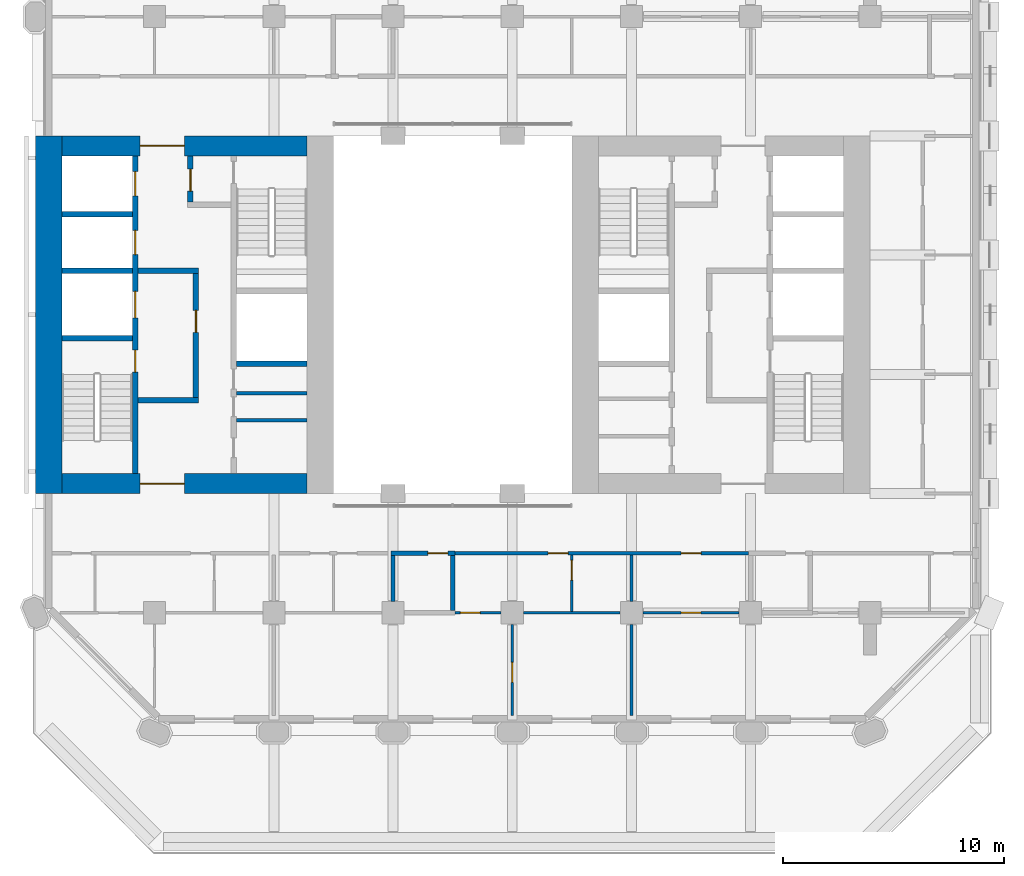
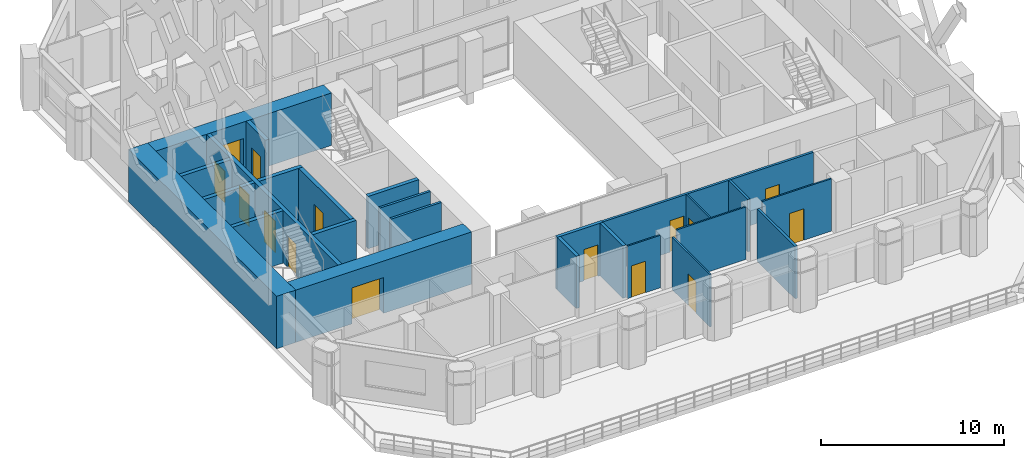
# One storey, part 9 of 16: 25 walls, 15 doors, 15 openings.
"""IFC4 building model written with IfcOpenShell, lengths in metres."""

from ifc_helpers import new_model, si_unit, direction, frame, frame_2d, origin, place, context, subcontext, project, spatial, rectangle, extrude, material, layer, layer_set, type_object, element, fill, save


model = new_model("IFC4")

# Units and contexts
model_context = context("Model", 3, precision=1e-05, world=origin(), true_north=direction((0.0, 1.0)))
body_context = subcontext(model_context, "Body", "Model", "MODEL_VIEW")
ifc_project = project(units=[si_unit("LENGTHUNIT", "METRE"), si_unit("AREAUNIT", "SQUARE_METRE"), si_unit("VOLUMEUNIT", "CUBIC_METRE"), si_unit("PLANEANGLEUNIT", "RADIAN"), si_unit("MASSUNIT", "GRAM", prefix="KILO")], contexts=[model_context])

# Site, building, storey
site_placement = place(None, origin())
site = spatial("IfcSite", under=ifc_project, at=site_placement, CompositionType="ELEMENT")
building_placement = place(site_placement, origin())
building = spatial("IfcBuilding", under=site, at=building_placement, Name="Tabaq Tower and Sports Hall", CompositionType="ELEMENT")
storey_placement = place(building_placement, frame((0.0, 0.0, 65.0)))
storey = spatial("IfcBuildingStorey", under=building, at=storey_placement, Name="L14", CompositionType="ELEMENT", Elevation=65.0)

# Walls
ifc_material_1 = material(Name="Blockwork", Category="masonry")
ifc_layer_1 = layer(ifc_material_1, 0.14990234375)
ifc_layer_set_1 = layer_set([ifc_layer_1], Name="Core room partition 150 Blockwork")
wall_type_1 = type_object("IfcWallType", Name="Core room partition 150 Blockwork", PredefinedType="PARTITIONING", material=ifc_layer_set_1)
for number, where, z_axis, x_axis, name in (
    (1, (14.5, 19.52490234375, 0.0), (0.0, 0.0, 1.0), (1.0, 0.0, 0.0), "Core room partition W L14"),
    (2, (14.5, 20.737060546875, 0.0), (0.0, 0.0, 1.0), (1.0, 0.0, 0.0), "Core room partition W L14"),
):
    element("IfcWall", number, at=place(storey_placement, frame(where, z_axis=z_axis, x_axis=x_axis)), inside=storey, type_object=wall_type_1, Name=name, PredefinedType="PARTITIONING", context=body_context, shape_type="SweptSolid", body=[
        extrude(rectangle(XDim=3.199951171875, YDim=0.14990234375, at=frame_2d((1.60009765625, 0.0))), origin(), (0.0, 0.0, 1.0), 3.5),
    ])
ifc_material_2 = material(Name="Concrete C60/75", Category="concrete")
ifc_layer_2 = layer(ifc_material_2, 1.199951171875)
ifc_layer_set_2 = layer_set([ifc_layer_2], Name="Core wall 1200 Concrete C60/75")
wall_type_2 = type_object("IfcWallType", Name="Core wall 1200 Concrete C60/75", PredefinedType="SOLIDWALL", material=ifc_layer_set_2)
wall_1_placement = place(storey_placement, frame((6.0, 16.199951171875, 0.0), z_axis=(0.0, 0.0, 1.0), x_axis=(0.0, 1.0, 0.0)))
element("IfcWall", 3, at=wall_1_placement, inside=storey, type_object=wall_type_2, Name="Core wall W L14", PredefinedType="SOLIDWALL", context=body_context, shape_type="SweptSolid", body=[
    extrude(rectangle(XDim=16.199951171875, YDim=1.199951171875, at=frame_2d((8.10009765625, 0.0))), origin(), (0.0, 0.0, 1.0), 3.5),
])

# Wall, opening, door
ifc_material_3 = material(Name="Concrete C60/75", Category="concrete")
ifc_layer_3 = layer(ifc_material_3, 0.89990234375)
ifc_layer_set_3 = layer_set([ifc_layer_3], Name="Core wall 900 Concrete C60/75")
wall_type_3 = type_object("IfcWallType", Name="Core wall 900 Concrete C60/75", PredefinedType="SOLIDWALL", material=ifc_layer_set_3)
wall_2_placement = place(storey_placement, frame((17.699951171875, 16.64990234375, 0.0), z_axis=(0.0, 0.0, 1.0), x_axis=(-1.0, 0.0, 0.0)))
wall_2 = element("IfcWall", 4, at=wall_2_placement, inside=storey, type_object=wall_type_3, Name="Core wall W L14", PredefinedType="SOLIDWALL", context=body_context, shape_type="SweptSolid", body=[
    extrude(rectangle(XDim=11.099853515625, YDim=0.89990234375, at=frame_2d((5.5498046875, 0.0))), origin(), (0.0, 0.0, 1.0), 3.5),
])
opening_1_placement = place(wall_2_placement, frame((5.550048828125, 0.0, 0.0)))
opening_1 = element("IfcOpeningElement", 5, at=opening_1_placement, cuts=wall_2, Name="Opening PD-WL14-01", PredefinedType="OPENING", context=body_context, shape_type="SweptSolid", body=[
    extrude(rectangle(XDim=2.0, YDim=2.39990234375, at=frame_2d((1.0, 1.199951171875))), frame((0.0, 0.449951171875, 0.0), z_axis=(0.0, -1.0, 0.0), x_axis=(1.0, 0.0, 0.0)), (0.0, 0.0, 1.0), 0.89990234375),
])
ifc_material_4 = material(Name="Steel fire door", Category="steel")
door_type_1 = type_object("IfcDoorType", Name="Core entrance door 2000", OperationType="DOUBLE_DOOR_SINGLE_SWING", PredefinedType="DOOR", material=ifc_material_4)
door_1_placement = place(opening_1_placement, origin())
door_1 = element("IfcDoor", 6, at=door_1_placement, inside=storey, type_object=door_type_1, Name="Core entrance south W L14", OperationType="DOUBLE_DOOR_SINGLE_SWING", OverallHeight=2.39990234375, OverallWidth=2.0, PredefinedType="DOOR", context=body_context, shape_type="SweptSolid", body=[
    extrude(rectangle(XDim=2.0, YDim=2.39990234375, at=frame_2d((1.0, 1.199951171875))), frame((0.0, 0.02490234375, 0.0), z_axis=(0.0, -1.0, 0.0), x_axis=(1.0, 0.0, 0.0)), (0.0, 0.0, 1.0), 0.050048828125),
])
fill(opening_1, door_1)

wall_3_placement = place(storey_placement, frame((6.60009765625, 31.949951171875, 0.0), z_axis=(0.0, 0.0, 1.0), x_axis=(1.0, 0.0, 0.0)))
wall_3 = element("IfcWall", 7, at=wall_3_placement, inside=storey, type_object=wall_type_3, Name="Core wall W L14", PredefinedType="SOLIDWALL", context=body_context, shape_type="SweptSolid", body=[
    extrude(rectangle(XDim=11.099853515625, YDim=0.89990234375, at=frame_2d((5.5498046875, 0.0))), origin(), (0.0, 0.0, 1.0), 3.5),
])
opening_2_placement = place(wall_3_placement, frame((3.550048828125, 0.0, 0.0)))
opening_2 = element("IfcOpeningElement", 8, at=opening_2_placement, cuts=wall_3, Name="Opening PD-WL14-02", PredefinedType="OPENING", context=body_context, shape_type="SweptSolid", body=[
    extrude(rectangle(XDim=2.0, YDim=2.39990234375, at=frame_2d((1.0, 1.199951171875))), frame((0.0, 0.449951171875, 0.0), z_axis=(0.0, -1.0, 0.0), x_axis=(1.0, 0.0, 0.0)), (0.0, 0.0, 1.0), 0.89990234375),
])
door_2_placement = place(opening_2_placement, origin())
door_2 = element("IfcDoor", 9, at=door_2_placement, inside=storey, type_object=door_type_1, Name="Core entrance north W L14", OperationType="DOUBLE_DOOR_SINGLE_SWING", OverallHeight=2.39990234375, OverallWidth=2.0, PredefinedType="DOOR", context=body_context, shape_type="SweptSolid", body=[
    extrude(rectangle(XDim=2.0, YDim=2.39990234375, at=frame_2d((1.0, 1.199951171875))), frame((0.0, 0.02490234375, 0.0), z_axis=(0.0, -1.0, 0.0), x_axis=(1.0, 0.0, 0.0)), (0.0, 0.0, 1.0), 0.050048828125),
])
fill(opening_2, door_2)

ifc_material_5 = material(Name="Blockwork", Category="masonry")
ifc_layer_4 = layer(ifc_material_5, 0.199951171875)
ifc_layer_set_4 = layer_set([ifc_layer_4], Name="Fire compartment wall 200 Blockwork")
wall_type_4 = type_object("IfcWallType", Name="Fire compartment wall 200 Blockwork", PredefinedType="PARTITIONING", material=ifc_layer_set_4)
wall_4_placement = place(storey_placement, frame((24.39990234375, 13.5, 0.0), z_axis=(0.0, 0.0, 1.0), x_axis=(-1.0, 0.0, 0.0)))
wall_4 = element("IfcWall", 10, at=wall_4_placement, inside=storey, type_object=wall_type_4, Name="Compartment wall L14", PredefinedType="PARTITIONING", context=body_context, shape_type="SweptSolid", body=[
    extrude(rectangle(XDim=2.89990234375, YDim=0.199951171875, at=frame_2d((1.449951171875, 0.0))), origin(), (0.0, 0.0, 1.0), 3.5),
])
opening_3_placement = place(wall_4_placement, frame((0.320068359375, 0.0, 0.0)))
opening_3 = element("IfcOpeningElement", 11, at=opening_3_placement, cuts=wall_4, Name="Opening L14-007", PredefinedType="OPENING", context=body_context, shape_type="SweptSolid", body=[
    extrude(rectangle(XDim=0.89990234375, YDim=2.10009765625, at=frame_2d((0.449951171875, 1.050048828125))), frame((0.0, 0.10009765625, 0.0), z_axis=(0.0, -1.0, 0.0), x_axis=(1.0, 0.0, 0.0)), (0.0, 0.0, 1.0), 0.199951171875),
])
ifc_material_6 = material(Name="Steel fire door", Category="steel")
door_type_2 = type_object("IfcDoorType", Name="Plant room door 900 left hand", OperationType="SINGLE_SWING_LEFT", PredefinedType="DOOR", material=ifc_material_6)
door_3_placement = place(opening_3_placement, origin())
door_3 = element("IfcDoor", 12, at=door_3_placement, inside=storey, type_object=door_type_2, Name="Plant room door L14-007", OperationType="SINGLE_SWING_LEFT", OverallHeight=2.10009765625, OverallWidth=0.89990234375, PredefinedType="DOOR", context=body_context, shape_type="SweptSolid", body=[
    extrude(rectangle(XDim=0.89990234375, YDim=2.10009765625, at=frame_2d((0.449951171875, 1.050048828125))), frame((0.0, 0.02490234375, 0.0), z_axis=(0.0, -1.0, 0.0), x_axis=(1.0, 0.0, 0.0)), (0.0, 0.0, 1.0), 0.050048828125),
])
fill(opening_3, door_3)

# Walls
wall_5_placement = place(storey_placement, frame((21.60009765625, 11.320068359375, 0.0), z_axis=(0.0, 0.0, 1.0), x_axis=(0.0, 1.0, 0.0)))
element("IfcWall", 13, at=wall_5_placement, inside=storey, type_object=wall_type_4, Name="Compartment wall L14", PredefinedType="PARTITIONING", context=body_context, shape_type="SweptSolid", body=[
    extrude(rectangle(XDim=2.079833984375, YDim=0.199951171875, at=frame_2d((1.0400390625, 0.0))), origin(), (0.0, 0.0, 1.0), 3.5),
])
wall_6_placement = place(storey_placement, frame((24.300048828125, 10.89990234375, 0.0), z_axis=(0.0, 0.0, 1.0), x_axis=(0.0, 1.0, 0.0)))
element("IfcWall", 14, at=wall_6_placement, inside=storey, type_object=wall_type_4, Name="Compartment wall L14", PredefinedType="PARTITIONING", context=body_context, shape_type="SweptSolid", body=[
    extrude(rectangle(XDim=2.5, YDim=0.199951171875, at=frame_2d((1.25, 0.0))), origin(), (0.0, 0.0, 1.0), 3.5),
])

# Wall, opening, door
ifc_material_7 = material(Name="Gypsum board on steel studs", Category="steel")
ifc_layer_5 = layer(ifc_material_7, 0.10009765625)
ifc_layer_set_5 = layer_set([ifc_layer_5], Name="Partition 100 Gypsum board")
wall_type_5 = type_object("IfcWallType", Name="Partition 100 Gypsum board", PredefinedType="PARTITIONING", material=ifc_layer_set_5)
wall_7_placement = place(storey_placement, frame((24.39990234375, 10.800048828125, 0.0), z_axis=(0.0, 0.0, 1.0), x_axis=(1.0, 0.0, 0.0)))
wall_7 = element("IfcWall", 15, at=wall_7_placement, inside=storey, type_object=wall_type_5, Name="Partition wall L14", PredefinedType="PARTITIONING", context=body_context, shape_type="SweptSolid", body=[
    extrude(rectangle(XDim=2.080078125, YDim=0.10009765625, at=frame_2d((1.0400390625, 0.0))), origin(), (0.0, 0.0, 1.0), 3.5),
])
opening_4_placement = place(wall_7_placement, frame((0.25, 0.0, 0.0)))
opening_4 = element("IfcOpeningElement", 16, at=opening_4_placement, cuts=wall_7, Name="Opening L14-035", PredefinedType="OPENING", context=body_context, shape_type="SweptSolid", body=[
    extrude(rectangle(XDim=0.89990234375, YDim=2.10009765625, at=frame_2d((0.449951171875, 1.050048828125))), frame((0.0, 0.050048828125, 0.0), z_axis=(0.0, -1.0, 0.0), x_axis=(1.0, 0.0, 0.0)), (0.0, 0.0, 1.0), 0.10009765625),
])
ifc_material_8 = material(Name="Timber leaf in steel frame", Category="steel")
door_type_3 = type_object("IfcDoorType", Name="Internal door 900 left hand", OperationType="SINGLE_SWING_LEFT", PredefinedType="DOOR", material=ifc_material_8)
door_4_placement = place(opening_4_placement, origin())
door_4 = element("IfcDoor", 17, at=door_4_placement, inside=storey, type_object=door_type_3, Name="Internal door L14-035", OperationType="SINGLE_SWING_LEFT", OverallHeight=2.10009765625, OverallWidth=0.89990234375, PredefinedType="DOOR", context=body_context, shape_type="SweptSolid", body=[
    extrude(rectangle(XDim=0.89990234375, YDim=2.10009765625, at=frame_2d((0.449951171875, 1.050048828125))), frame((0.0, 0.02490234375, 0.0), z_axis=(0.0, -1.0, 0.0), x_axis=(1.0, 0.0, 0.0)), (0.0, 0.0, 1.0), 0.050048828125),
])
fill(opening_4, door_4)

wall_8_placement = place(storey_placement, frame((29.699951171875, 10.85009765625, 0.0), z_axis=(0.0, 0.0, 1.0), x_axis=(0.0, 1.0, 0.0)))
wall_8 = element("IfcWall", 18, at=wall_8_placement, inside=storey, type_object=wall_type_5, Name="Partition wall L14", PredefinedType="PARTITIONING", context=body_context, shape_type="SweptSolid", body=[
    extrude(rectangle(XDim=2.574951171875, YDim=0.10009765625, at=frame_2d((1.28759765625, 0.0))), origin(), (0.0, 0.0, 1.0), 3.5),
])
opening_5_placement = place(wall_8_placement, frame((1.425048828125, 0.0, 0.0)))
opening_5 = element("IfcOpeningElement", 19, at=opening_5_placement, cuts=wall_8, Name="Opening L14-024", PredefinedType="OPENING", context=body_context, shape_type="SweptSolid", body=[
    extrude(rectangle(XDim=0.89990234375, YDim=2.10009765625, at=frame_2d((0.449951171875, 1.050048828125))), frame((0.0, 0.050048828125, 0.0), z_axis=(0.0, -1.0, 0.0), x_axis=(1.0, 0.0, 0.0)), (0.0, 0.0, 1.0), 0.10009765625),
])
door_5_placement = place(opening_5_placement, origin())
door_5 = element("IfcDoor", 20, at=door_5_placement, inside=storey, type_object=door_type_3, Name="Internal door L14-024", OperationType="SINGLE_SWING_LEFT", OverallHeight=2.10009765625, OverallWidth=0.89990234375, PredefinedType="DOOR", context=body_context, shape_type="SweptSolid", body=[
    extrude(rectangle(XDim=0.89990234375, YDim=2.10009765625, at=frame_2d((0.449951171875, 1.050048828125))), frame((0.0, 0.02490234375, 0.0), z_axis=(0.0, -1.0, 0.0), x_axis=(1.0, 0.0, 0.0)), (0.0, 0.0, 1.0), 0.050048828125),
])
fill(opening_5, door_5)

# Wall
wall_9_placement = place(storey_placement, frame((27.52001953125, 10.800048828125, 0.0), z_axis=(0.0, 0.0, 1.0), x_axis=(1.0, 0.0, 0.0)))
element("IfcWall", 21, at=wall_9_placement, inside=storey, type_object=wall_type_5, Name="Partition wall L14", PredefinedType="PARTITIONING", context=body_context, shape_type="SweptSolid", body=[
    extrude(rectangle(XDim=4.35986328125, YDim=0.10009765625, at=frame_2d((2.179931640625, 0.0))), origin(), (0.0, 0.0, 1.0), 3.5),
])

# Wall, opening, door
wall_10_placement = place(storey_placement, frame((27.0, 6.15087890625, 0.0), z_axis=(0.0, 0.0, 1.0), x_axis=(0.0, 1.0, 0.0)))
wall_10 = element("IfcWall", 22, at=wall_10_placement, inside=storey, type_object=wall_type_5, Name="Partition wall L14", PredefinedType="PARTITIONING", context=body_context, shape_type="SweptSolid", body=[
    extrude(rectangle(XDim=4.129150390625, YDim=0.10009765625, at=frame_2d((2.064453125, 0.0))), origin(), (0.0, 0.0, 1.0), 3.5),
])
opening_6_placement = place(wall_10_placement, frame((1.4990234375, 0.0, 0.0)))
opening_6 = element("IfcOpeningElement", 23, at=opening_6_placement, cuts=wall_10, Name="Opening L14-025", PredefinedType="OPENING", context=body_context, shape_type="SweptSolid", body=[
    extrude(rectangle(XDim=0.89990234375, YDim=2.10009765625, at=frame_2d((0.449951171875, 1.050048828125))), frame((0.0, 0.050048828125, 0.0), z_axis=(0.0, -1.0, 0.0), x_axis=(1.0, 0.0, 0.0)), (0.0, 0.0, 1.0), 0.10009765625),
])
door_6_placement = place(opening_6_placement, origin())
door_6 = element("IfcDoor", 24, at=door_6_placement, inside=storey, type_object=door_type_3, Name="Internal door L14-025", OperationType="SINGLE_SWING_LEFT", OverallHeight=2.10009765625, OverallWidth=0.89990234375, PredefinedType="DOOR", context=body_context, shape_type="SweptSolid", body=[
    extrude(rectangle(XDim=0.89990234375, YDim=2.10009765625, at=frame_2d((0.449951171875, 1.050048828125))), frame((0.0, 0.02490234375, 0.0), z_axis=(0.0, -1.0, 0.0), x_axis=(1.0, 0.0, 0.0)), (0.0, 0.0, 1.0), 0.050048828125),
])
fill(opening_6, door_6)

wall_11_placement = place(storey_placement, frame((32.919921875, 10.800048828125, 0.0), z_axis=(0.0, 0.0, 1.0), x_axis=(1.0, 0.0, 0.0)))
wall_11 = element("IfcWall", 25, at=wall_11_placement, inside=storey, type_object=wall_type_5, Name="Partition wall L14", PredefinedType="PARTITIONING", context=body_context, shape_type="SweptSolid", body=[
    extrude(rectangle(XDim=4.360107421875, YDim=0.10009765625, at=frame_2d((2.18017578125, 0.0))), origin(), (0.0, 0.0, 1.0), 3.5),
])
opening_7_placement = place(wall_11_placement, frame((1.72998046875, 0.0, 0.0)))
opening_7 = element("IfcOpeningElement", 26, at=opening_7_placement, cuts=wall_11, Name="Opening L14-031", PredefinedType="OPENING", context=body_context, shape_type="SweptSolid", body=[
    extrude(rectangle(XDim=0.89990234375, YDim=2.10009765625, at=frame_2d((0.449951171875, 1.050048828125))), frame((0.0, 0.050048828125, 0.0), z_axis=(0.0, -1.0, 0.0), x_axis=(1.0, 0.0, 0.0)), (0.0, 0.0, 1.0), 0.10009765625),
])
ifc_material_9 = material(Name="Timber leaf in steel frame", Category="steel")
door_type_4 = type_object("IfcDoorType", Name="Internal door 900 right hand", OperationType="SINGLE_SWING_RIGHT", PredefinedType="DOOR", material=ifc_material_9)
door_7_placement = place(opening_7_placement, origin())
door_7 = element("IfcDoor", 27, at=door_7_placement, inside=storey, type_object=door_type_4, Name="Internal door L14-031", OperationType="SINGLE_SWING_RIGHT", OverallHeight=2.10009765625, OverallWidth=0.89990234375, PredefinedType="DOOR", context=body_context, shape_type="SweptSolid", body=[
    extrude(rectangle(XDim=0.89990234375, YDim=2.10009765625, at=frame_2d((0.449951171875, 1.050048828125))), frame((0.0, 0.02490234375, 0.0), z_axis=(0.0, -1.0, 0.0), x_axis=(1.0, 0.0, 0.0)), (0.0, 0.0, 1.0), 0.050048828125),
])
fill(opening_7, door_7)

# Wall, openings, doors
ifc_material_10 = material(Name="Blockwork", Category="masonry")
ifc_layer_6 = layer(ifc_material_10, 0.14990234375)
ifc_layer_set_6 = layer_set([ifc_layer_6], Name="Separating wall 150 Blockwork")
wall_type_6 = type_object("IfcWallType", Name="Separating wall 150 Blockwork", PredefinedType="PARTITIONING", material=ifc_layer_set_6)
wall_12_placement = place(storey_placement, frame((37.699951171875, 13.5, 0.0), z_axis=(0.0, 0.0, 1.0), x_axis=(-1.0, 0.0, 0.0)))
wall_12 = element("IfcWall", 28, at=wall_12_placement, inside=storey, type_object=wall_type_6, Name="Separating wall L14", PredefinedType="PARTITIONING", context=body_context, shape_type="SweptSolid", body=[
    extrude(rectangle(XDim=13.300048828125, YDim=0.14990234375, at=frame_2d((6.64990234375, 0.0))), origin(), (0.0, 0.0, 1.0), 3.5),
])
opening_8_placement = place(wall_12_placement, frame((2.14990234375, 0.0, 0.0)))
opening_8 = element("IfcOpeningElement", 29, at=opening_8_placement, cuts=wall_12, Name="Opening L14-028", PredefinedType="OPENING", context=body_context, shape_type="SweptSolid", body=[
    extrude(rectangle(XDim=0.89990234375, YDim=2.10009765625, at=frame_2d((0.449951171875, 1.050048828125))), frame((0.0, 0.074951171875, 0.0), z_axis=(0.0, -1.0, 0.0), x_axis=(1.0, 0.0, 0.0)), (0.0, 0.0, 1.0), 0.14990234375),
])
opening_9_placement = place(wall_12_placement, frame((8.169921875, 0.0, 0.0)))
opening_9 = element("IfcOpeningElement", 30, at=opening_9_placement, cuts=wall_12, Name="Opening L14-033", PredefinedType="OPENING", context=body_context, shape_type="SweptSolid", body=[
    extrude(rectangle(XDim=0.89990234375, YDim=2.10009765625, at=frame_2d((0.449951171875, 1.050048828125))), frame((0.0, 0.074951171875, 0.0), z_axis=(0.0, -1.0, 0.0), x_axis=(1.0, 0.0, 0.0)), (0.0, 0.0, 1.0), 0.14990234375),
])
ifc_material_11 = material(Name="Steel fire door", Category="steel")
door_type_5 = type_object("IfcDoorType", Name="Entrance door 900 left hand", OperationType="SINGLE_SWING_LEFT", PredefinedType="DOOR", material=ifc_material_11)
door_8_placement = place(opening_8_placement, origin())
door_8 = element("IfcDoor", 31, at=door_8_placement, inside=storey, type_object=door_type_5, Name="Entrance door L14-028", OperationType="SINGLE_SWING_LEFT", OverallHeight=2.10009765625, OverallWidth=0.89990234375, PredefinedType="DOOR", context=body_context, shape_type="SweptSolid", body=[
    extrude(rectangle(XDim=0.89990234375, YDim=2.10009765625, at=frame_2d((0.449951171875, 1.050048828125))), frame((0.0, 0.02490234375, 0.0), z_axis=(0.0, -1.0, 0.0), x_axis=(1.0, 0.0, 0.0)), (0.0, 0.0, 1.0), 0.050048828125),
])
fill(opening_8, door_8)
door_9_placement = place(opening_9_placement, origin())
door_9 = element("IfcDoor", 32, at=door_9_placement, inside=storey, type_object=door_type_5, Name="Entrance door L14-033", OperationType="SINGLE_SWING_LEFT", OverallHeight=2.10009765625, OverallWidth=0.89990234375, PredefinedType="DOOR", context=body_context, shape_type="SweptSolid", body=[
    extrude(rectangle(XDim=0.89990234375, YDim=2.10009765625, at=frame_2d((0.449951171875, 1.050048828125))), frame((0.0, 0.02490234375, 0.0), z_axis=(0.0, -1.0, 0.0), x_axis=(1.0, 0.0, 0.0)), (0.0, 0.0, 1.0), 0.050048828125),
])
fill(opening_9, door_9)

# Walls
wall_13_placement = place(storey_placement, frame((32.39990234375, 11.320068359375, 0.0), z_axis=(0.0, 0.0, 1.0), x_axis=(0.0, 1.0, 0.0)))
element("IfcWall", 33, at=wall_13_placement, inside=storey, type_object=wall_type_6, Name="Separating wall L14", PredefinedType="PARTITIONING", context=body_context, shape_type="SweptSolid", body=[
    extrude(rectangle(XDim=2.10498046875, YDim=0.14990234375, at=frame_2d((1.052490234375, 0.0))), origin(), (0.0, 0.0, 1.0), 3.5),
])
wall_14_placement = place(storey_placement, frame((32.39990234375, 6.15087890625, 0.0), z_axis=(0.0, 0.0, 1.0), x_axis=(0.0, 1.0, 0.0)))
element("IfcWall", 34, at=wall_14_placement, inside=storey, type_object=wall_type_6, Name="Separating wall L14", PredefinedType="PARTITIONING", context=body_context, shape_type="SweptSolid", body=[
    extrude(rectangle(XDim=4.129150390625, YDim=0.14990234375, at=frame_2d((2.064453125, 0.0))), origin(), (0.0, 0.0, 1.0), 3.5),
])

# Wall, openings, doors
ifc_material_12 = material(Name="Concrete C40/50", Category="concrete")
ifc_layer_7 = layer(ifc_material_12, 0.25)
ifc_layer_set_7 = layer_set([ifc_layer_7], Name="Shaft and stair wall 250 Concrete C40/50")
wall_type_7 = type_object("IfcWallType", Name="Shaft and stair wall 250 Concrete C40/50", PredefinedType="SOLIDWALL", material=ifc_layer_set_7)
wall_15_placement = place(storey_placement, frame((9.925048828125, 17.10009765625, 0.0), z_axis=(0.0, 0.0, 1.0), x_axis=(0.0, 1.0, 0.0)))
wall_15 = element("IfcWall", 35, at=wall_15_placement, inside=storey, type_object=wall_type_7, Name="Shaft wall W L14", PredefinedType="SOLIDWALL", context=body_context, shape_type="SweptSolid", body=[
    extrude(rectangle(XDim=14.39990234375, YDim=0.25, at=frame_2d((7.199951171875, 0.0))), origin(), (0.0, 0.0, 1.0), 3.5),
])
opening_10_placement = place(wall_15_placement, frame((4.60009765625, 0.0, 0.0)))
opening_10 = element("IfcOpeningElement", 36, at=opening_10_placement, cuts=wall_15, Name="Opening SD-WL14-03", PredefinedType="OPENING", context=body_context, shape_type="SweptSolid", body=[
    extrude(rectangle(XDim=1.0, YDim=2.10009765625, at=frame_2d((0.5, 1.050048828125))), frame((0.0, 0.125, 0.0), z_axis=(0.0, -1.0, 0.0), x_axis=(1.0, 0.0, 0.0)), (0.0, 0.0, 1.0), 0.25),
])
opening_11_placement = place(wall_15_placement, frame((7.0625, 0.0, 0.0)))
opening_11 = element("IfcOpeningElement", 37, at=opening_11_placement, cuts=wall_15, Name="Opening LD-FF1-L14", PredefinedType="OPENING", context=body_context, shape_type="SweptSolid", body=[
    extrude(rectangle(XDim=1.199951171875, YDim=2.10009765625, at=frame_2d((0.60009765625, 1.050048828125))), frame((0.0, 0.125, 0.0), z_axis=(0.0, -1.0, 0.0), x_axis=(1.0, 0.0, 0.0)), (0.0, 0.0, 1.0), 0.25),
])
opening_12_placement = place(wall_15_placement, frame((9.925048828125, 0.0, 0.0)))
opening_12 = element("IfcOpeningElement", 38, at=opening_12_placement, cuts=wall_15, Name="Opening LD-LR1-L14", PredefinedType="OPENING", context=body_context, shape_type="SweptSolid", body=[
    extrude(rectangle(XDim=1.10009765625, YDim=2.10009765625, at=frame_2d((0.550048828125, 1.050048828125))), frame((0.0, 0.125, 0.0), z_axis=(0.0, -1.0, 0.0), x_axis=(1.0, 0.0, 0.0)), (0.0, 0.0, 1.0), 0.25),
])
opening_13_placement = place(wall_15_placement, frame((12.58740234375, 0.0, 0.0)))
opening_13 = element("IfcOpeningElement", 39, at=opening_13_placement, cuts=wall_15, Name="Opening LD-LR2-L14", PredefinedType="OPENING", context=body_context, shape_type="SweptSolid", body=[
    extrude(rectangle(XDim=1.10009765625, YDim=2.10009765625, at=frame_2d((0.550048828125, 1.050048828125))), frame((0.0, 0.125, 0.0), z_axis=(0.0, -1.0, 0.0), x_axis=(1.0, 0.0, 0.0)), (0.0, 0.0, 1.0), 0.25),
])
ifc_material_13 = material(Name="Stainless steel", Category="steel")
door_type_6 = type_object("IfcDoorType", Name="Lift landing door 1100", OperationType="DOUBLE_DOOR_SLIDING", PredefinedType="DOOR", material=ifc_material_13)
door_10_placement = place(opening_12_placement, origin())
door_10 = element("IfcDoor", 40, at=door_10_placement, inside=storey, type_object=door_type_6, Name="Lift landing door LR1 W L14", OperationType="DOUBLE_DOOR_SLIDING", OverallHeight=2.10009765625, OverallWidth=1.10009765625, PredefinedType="DOOR", context=body_context, shape_type="SweptSolid", body=[
    extrude(rectangle(XDim=1.10009765625, YDim=2.10009765625, at=frame_2d((0.550048828125, 1.050048828125))), frame((0.0, 0.02490234375, 0.0), z_axis=(0.0, -1.0, 0.0), x_axis=(1.0, 0.0, 0.0)), (0.0, 0.0, 1.0), 0.050048828125),
])
fill(opening_12, door_10)
door_11_placement = place(opening_13_placement, origin())
door_11 = element("IfcDoor", 41, at=door_11_placement, inside=storey, type_object=door_type_6, Name="Lift landing door LR2 W L14", OperationType="DOUBLE_DOOR_SLIDING", OverallHeight=2.10009765625, OverallWidth=1.10009765625, PredefinedType="DOOR", context=body_context, shape_type="SweptSolid", body=[
    extrude(rectangle(XDim=1.10009765625, YDim=2.10009765625, at=frame_2d((0.550048828125, 1.050048828125))), frame((0.0, 0.02490234375, 0.0), z_axis=(0.0, -1.0, 0.0), x_axis=(1.0, 0.0, 0.0)), (0.0, 0.0, 1.0), 0.050048828125),
])
fill(opening_13, door_11)
ifc_material_14 = material(Name="Stainless steel", Category="steel")
door_type_7 = type_object("IfcDoorType", Name="Lift landing door 1200", OperationType="DOUBLE_DOOR_SLIDING", PredefinedType="DOOR", material=ifc_material_14)
door_12_placement = place(opening_11_placement, origin())
door_12 = element("IfcDoor", 42, at=door_12_placement, inside=storey, type_object=door_type_7, Name="Lift landing door FF1 W L14", OperationType="DOUBLE_DOOR_SLIDING", OverallHeight=2.10009765625, OverallWidth=1.199951171875, PredefinedType="DOOR", context=body_context, shape_type="SweptSolid", body=[
    extrude(rectangle(XDim=1.199951171875, YDim=2.10009765625, at=frame_2d((0.60009765625, 1.050048828125))), frame((0.0, 0.02490234375, 0.0), z_axis=(0.0, -1.0, 0.0), x_axis=(1.0, 0.0, 0.0)), (0.0, 0.0, 1.0), 0.050048828125),
])
fill(opening_11, door_12)
ifc_material_15 = material(Name="Steel fire door", Category="steel")
door_type_8 = type_object("IfcDoorType", Name="Stair door 1000", OperationType="SINGLE_SWING_LEFT", PredefinedType="DOOR", material=ifc_material_15)
door_13_placement = place(opening_10_placement, origin())
door_13 = element("IfcDoor", 43, at=door_13_placement, inside=storey, type_object=door_type_8, Name="Stair door ST1 W L14", OperationType="SINGLE_SWING_LEFT", OverallHeight=2.10009765625, OverallWidth=1.0, PredefinedType="DOOR", context=body_context, shape_type="SweptSolid", body=[
    extrude(rectangle(XDim=1.0, YDim=2.10009765625, at=frame_2d((0.5, 1.050048828125))), frame((0.0, 0.02490234375, 0.0), z_axis=(0.0, -1.0, 0.0), x_axis=(1.0, 0.0, 0.0)), (0.0, 0.0, 1.0), 0.050048828125),
])
fill(opening_10, door_13)

# Walls
for number, where, z_axis, x_axis, name in (
    (44, (6.60009765625, 23.22509765625, 0.0), (0.0, 0.0, 1.0), (1.0, 0.0, 0.0), "Stair enclosure wall W L14"),
    (45, (14.5, 22.074951171875, 0.0), (0.0, 0.0, 1.0), (1.0, 0.0, 0.0), "Shaft wall W L14"),
    (46, (6.60009765625, 26.300048828125, 0.0), (0.0, 0.0, 1.0), (1.0, 0.0, 0.0), "Shaft wall W L14"),
):
    element("IfcWall", number, at=place(storey_placement, frame(where, z_axis=z_axis, x_axis=x_axis)), inside=storey, type_object=wall_type_7, Name=name, PredefinedType="SOLIDWALL", context=body_context, shape_type="SweptSolid", body=[
        extrude(rectangle(XDim=3.199951171875, YDim=0.25, at=frame_2d((1.60009765625, 0.0))), origin(), (0.0, 0.0, 1.0), 3.5),
    ])
for number, where, z_axis, x_axis, name in (
    (47, (10.050048828125, 26.300048828125, 0.0), (0.0, 0.0, 1.0), (1.0, 0.0, 0.0), "Fire-fighting lobby wall W L14"),
    (48, (10.050048828125, 20.425048828125, 0.0), (0.0, 0.0, 1.0), (1.0, 0.0, 0.0), "Fire-fighting lobby wall W L14"),
):
    element("IfcWall", number, at=place(storey_placement, frame(where, z_axis=z_axis, x_axis=x_axis)), inside=storey, type_object=wall_type_7, Name=name, PredefinedType="SOLIDWALL", context=body_context, shape_type="SweptSolid", body=[
        extrude(rectangle(XDim=2.75, YDim=0.25, at=frame_2d((1.375, 0.0))), origin(), (0.0, 0.0, 1.0), 3.5),
    ])

# Wall, opening, door
wall_16_placement = place(storey_placement, frame((12.425048828125, 29.39990234375, 0.0), z_axis=(0.0, 0.0, 1.0), x_axis=(0.0, 1.0, 0.0)))
wall_16 = element("IfcWall", 49, at=wall_16_placement, inside=storey, type_object=wall_type_7, Name="Fire-fighting lobby wall W L14", PredefinedType="SOLIDWALL", context=body_context, shape_type="SweptSolid", body=[
    extrude(rectangle(XDim=2.10009765625, YDim=0.25, at=frame_2d((1.050048828125, 0.0))), origin(), (0.0, 0.0, 1.0), 3.5),
])
opening_14_placement = place(wall_16_placement, frame((0.5, 0.0, 0.0)))
opening_14 = element("IfcOpeningElement", 50, at=opening_14_placement, cuts=wall_16, Name="Opening FD-WL14-06", PredefinedType="OPENING", context=body_context, shape_type="SweptSolid", body=[
    extrude(rectangle(XDim=1.0, YDim=2.10009765625, at=frame_2d((0.5, 1.050048828125))), frame((0.0, 0.125, 0.0), z_axis=(0.0, -1.0, 0.0), x_axis=(1.0, 0.0, 0.0)), (0.0, 0.0, 1.0), 0.25),
])
ifc_material_16 = material(Name="Steel fire door", Category="steel")
door_type_9 = type_object("IfcDoorType", Name="Fire-fighting lobby door 1000", OperationType="SINGLE_SWING_LEFT", PredefinedType="DOOR", material=ifc_material_16)
door_14_placement = place(opening_14_placement, origin())
door_14 = element("IfcDoor", 51, at=door_14_placement, inside=storey, type_object=door_type_9, Name="Stair lobby door W L14", OperationType="SINGLE_SWING_LEFT", OverallHeight=2.10009765625, OverallWidth=1.0, PredefinedType="DOOR", context=body_context, shape_type="SweptSolid", body=[
    extrude(rectangle(XDim=1.0, YDim=2.10009765625, at=frame_2d((0.5, 1.050048828125))), frame((0.0, 0.02490234375, 0.0), z_axis=(0.0, -1.0, 0.0), x_axis=(1.0, 0.0, 0.0)), (0.0, 0.0, 1.0), 0.050048828125),
])
fill(opening_14, door_14)

wall_17_placement = place(storey_placement, frame((12.675048828125, 20.550048828125, 0.0), z_axis=(0.0, 0.0, 1.0), x_axis=(0.0, 1.0, 0.0)))
wall_17 = element("IfcWall", 52, at=wall_17_placement, inside=storey, type_object=wall_type_7, Name="Fire-fighting lobby wall W L14", PredefinedType="SOLIDWALL", context=body_context, shape_type="SweptSolid", body=[
    extrude(rectangle(XDim=5.625, YDim=0.25, at=frame_2d((2.8125, 0.0))), origin(), (0.0, 0.0, 1.0), 3.5),
])
opening_15_placement = place(wall_17_placement, frame((2.949951171875, 0.0, 0.0)))
opening_15 = element("IfcOpeningElement", 53, at=opening_15_placement, cuts=wall_17, Name="Opening FD-WL14-04", PredefinedType="OPENING", context=body_context, shape_type="SweptSolid", body=[
    extrude(rectangle(XDim=1.0, YDim=2.10009765625, at=frame_2d((0.5, 1.050048828125))), frame((0.0, 0.125, 0.0), z_axis=(0.0, -1.0, 0.0), x_axis=(1.0, 0.0, 0.0)), (0.0, 0.0, 1.0), 0.25),
])
door_15_placement = place(opening_15_placement, origin())
door_15 = element("IfcDoor", 54, at=door_15_placement, inside=storey, type_object=door_type_9, Name="Fire-fighting lobby door W L14", OperationType="SINGLE_SWING_LEFT", OverallHeight=2.10009765625, OverallWidth=1.0, PredefinedType="DOOR", context=body_context, shape_type="SweptSolid", body=[
    extrude(rectangle(XDim=1.0, YDim=2.10009765625, at=frame_2d((0.5, 1.050048828125))), frame((0.0, 0.02490234375, 0.0), z_axis=(0.0, -1.0, 0.0), x_axis=(1.0, 0.0, 0.0)), (0.0, 0.0, 1.0), 0.050048828125),
])
fill(opening_15, door_15)

# Wall
wall_18_placement = place(storey_placement, frame((6.60009765625, 28.85009765625, 0.0), z_axis=(0.0, 0.0, 1.0), x_axis=(1.0, 0.0, 0.0)))
element("IfcWall", 55, at=wall_18_placement, inside=storey, type_object=wall_type_7, Name="Shaft wall W L14", PredefinedType="SOLIDWALL", context=body_context, shape_type="SweptSolid", body=[
    extrude(rectangle(XDim=3.199951171875, YDim=0.25, at=frame_2d((1.60009765625, 0.0))), origin(), (0.0, 0.0, 1.0), 3.5),
])

save(model, "model.ifc")
